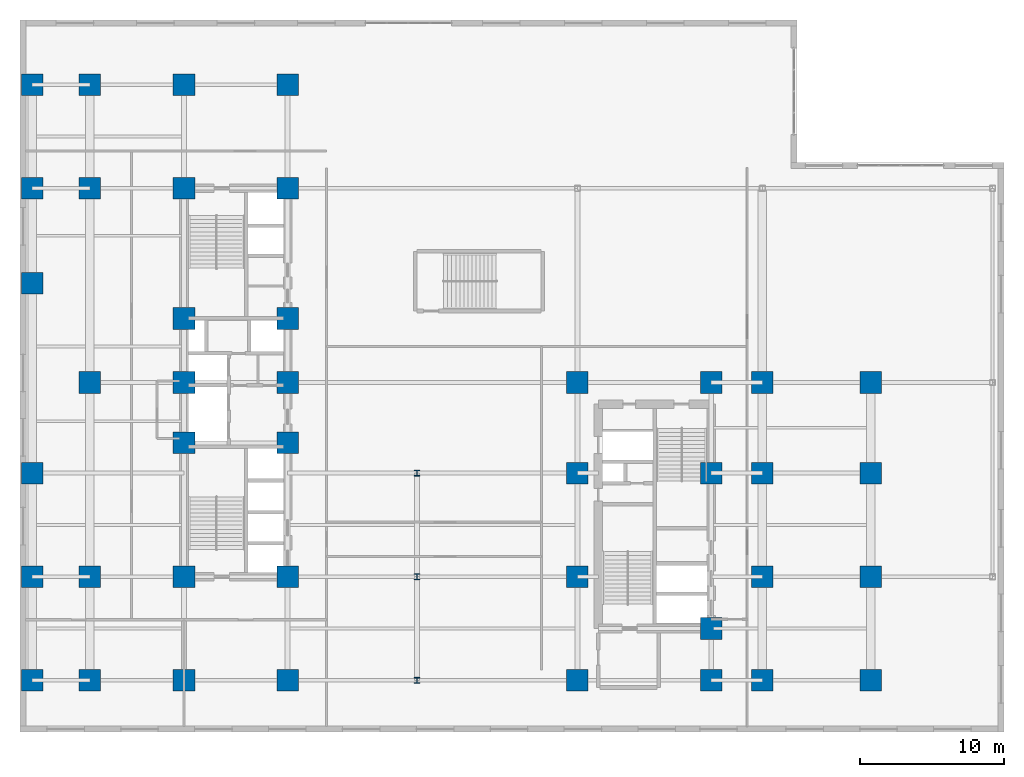
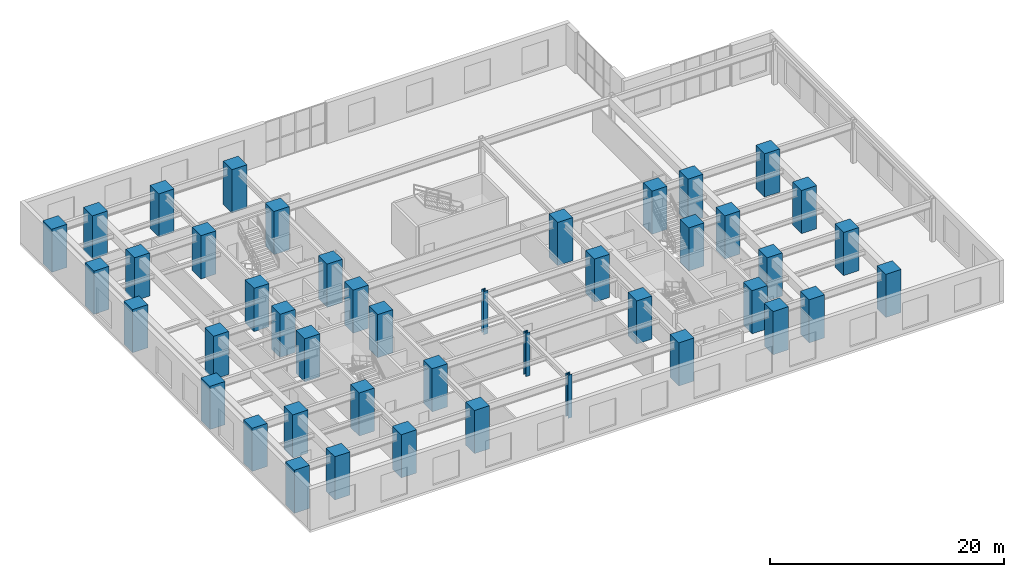
# One storey, part 1 of 15: 44 columns.
"""IFC4 building model written with IfcOpenShell, lengths in metres."""

import ifcopenshell
import ifcopenshell.guid

model = None  # the IFC model being written
_history = None  # IfcOwnerHistory: only IFC2X3 demands one
_inside = {}  # id of a spatial element -> (the spatial element, [elements in it])
_under = {}  # id of a project, library or spatial element -> (it, [spatial elements below it])
_declared = {}  # id of a project -> (the project, [libraries it declares])
_typed = {}  # id of a type object -> (the type object, [elements of that type])
_made_of = {}  # id of a material, layer set ... -> (it, [elements and type objects made of it])


def new_model(schema):
    """Start an empty IFC model of exactly this schema.

    Asked for "IFC4X3", IfcOpenShell would pick the latest addendum, in which some entities
    have other attributes; the version numbers below select the first issue.
    IFC2X3 requires an IfcOwnerHistory on every rooted entity: one is made here for all.
    """
    global model, _history
    if schema == "IFC4X3":
        model = ifcopenshell.file(schema_version=(4, 3, 0, 0))
    else:
        model = ifcopenshell.file(schema=schema)
    _inside.clear()
    _under.clear()
    _declared.clear()
    _typed.clear()
    _made_of.clear()
    _history = None
    if model.schema == "IFC2X3":
        org = make("IfcOrganization", Name="unknown")
        user = make(
            "IfcPersonAndOrganization",
            ThePerson=make("IfcPerson", FamilyName="unknown"),
            TheOrganization=org,
        )
        app = make(
            "IfcApplication",
            ApplicationDeveloper=org,
            Version="unknown",
            ApplicationFullName="unknown",
            ApplicationIdentifier="unknown",
        )
        _history = make(
            "IfcOwnerHistory",
            OwningUser=user,
            OwningApplication=app,
            ChangeAction="ADDED",
            CreationDate=0,
        )
    return model


def make(cls, **values):
    """One entity of the class cls with the attributes given. An attribute that is None is left unset."""
    return model.create_entity(
        cls, **{name: value for name, value in values.items() if value is not None}
    )


def entity(cls, *values):
    """Any entity or typed value of the class cls, its attributes in the order of the schema. None: left unset."""
    e = model.create_entity(cls)
    for i, value in enumerate(values):
        if value is not None:
            e[i] = value
    return e


def rooted(cls, **values):
    """An entity with a GlobalId (a new one), such as an element, a storey or a relation."""
    return make(cls, GlobalId=ifcopenshell.guid.new(), OwnerHistory=_history, **values)


def si_unit(unit_type, name, prefix=None):
    """IfcSIUnit, for example si_unit("LENGTHUNIT", "METRE", prefix="MILLI")."""
    return make("IfcSIUnit", UnitType=unit_type, Prefix=prefix, Name=name)


def converted_unit(unit_type, name, factor, base, dimensions=None, offset=None):
    """IfcConversionBasedUnit, such as the inch: factor (a typed value) times the base unit."""
    return make(
        "IfcConversionBasedUnit"
        if offset is None
        else "IfcConversionBasedUnitWithOffset",
        ConversionOffset=offset,
        Dimensions=None
        if dimensions is None
        else entity("IfcDimensionalExponents", *dimensions),
        UnitType=unit_type,
        Name=name,
        ConversionFactor=make(
            "IfcMeasureWithUnit", ValueComponent=factor, UnitComponent=base
        ),
    )


def assignment(units):
    """IfcUnitAssignment: the units of a project."""
    return None if units is None else make("IfcUnitAssignment", Units=units)


def point(xyz):
    """IfcCartesianPoint."""
    return None if xyz is None else make("IfcCartesianPoint", Coordinates=xyz)


def direction(xyz):
    """IfcDirection."""
    return None if xyz is None else make("IfcDirection", DirectionRatios=xyz)


def frame(location, z_axis=None, x_axis=None):
    """IfcAxis2Placement3D, a coordinate frame: its origin and axes. An axis left out is left unset."""
    return make(
        "IfcAxis2Placement3D",
        Location=point(location),
        Axis=direction(z_axis),
        RefDirection=direction(x_axis),
    )


def frame_2d(location, x_axis=None):
    """IfcAxis2Placement2D, a coordinate frame in the plane: its origin and x axis."""
    return make(
        "IfcAxis2Placement2D", Location=point(location), RefDirection=direction(x_axis)
    )


def origin_with_axes():
    """The frame at (0, 0, 0) with the z axis (0, 0, 1) and the x axis (1, 0, 0) written out."""
    return frame((0.0, 0.0, 0.0), z_axis=(0.0, 0.0, 1.0), x_axis=(1.0, 0.0, 0.0))


def origin_2d_with_axis():
    """The frame at (0, 0) in the plane with the x axis (1, 0) written out."""
    return frame_2d((0.0, 0.0), x_axis=(1.0, 0.0))


def place(relative_to, where):
    """IfcLocalPlacement: puts the frame where relative to a parent placement (None: the world)."""
    return make(
        "IfcLocalPlacement", PlacementRelTo=relative_to, RelativePlacement=where
    )


def context(
    kind, dimensions, precision=None, world=None, true_north=None, identifier=None
):
    """IfcGeometricRepresentationContext, for example the 3D "Model" context."""
    return make(
        "IfcGeometricRepresentationContext",
        ContextIdentifier=identifier,
        ContextType=kind,
        CoordinateSpaceDimension=dimensions,
        Precision=precision,
        WorldCoordinateSystem=world,
        TrueNorth=true_north,
    )


def subcontext(parent, identifier, kind, view, scale=None):
    """IfcGeometricRepresentationSubContext, for example "Body" below "Model"."""
    return make(
        "IfcGeometricRepresentationSubContext",
        ContextIdentifier=identifier,
        ContextType=kind,
        ParentContext=parent,
        TargetScale=scale,
        TargetView=view,
    )


def project(units=None, contexts=None):
    """IfcProject with its units and contexts."""
    return rooted(
        "IfcProject",
        Name="project",
        RepresentationContexts=contexts,
        UnitsInContext=assignment(units),
    )


def spatial(cls, under=None, at=None, **own):
    """A site, building, storey or space (cls), placed at a placement, below another one or the project."""
    s = rooted(cls, ObjectPlacement=at, **own)
    if under is not None:
        _under.setdefault(under.id(), (under, []))[1].append(s)
    return s


def profile(cls, at=None, kind="AREA", **sizes):
    """A parametric profile (cls). Its sizes go by their IFC names, for example OverallWidth=200.0."""
    return make(cls, ProfileType=kind, Position=at, **sizes)


def rectangle(**sizes):
    """IfcRectangleProfileDef."""
    return profile("IfcRectangleProfileDef", **sizes)


def i_section(**sizes):
    """IfcIShapeProfileDef."""
    return profile("IfcIShapeProfileDef", **sizes)


def extrude(swept, where, along, depth):
    """IfcExtrudedAreaSolid: the profile swept, set in the frame where, extruded along a direction by depth."""
    return make(
        "IfcExtrudedAreaSolid",
        SweptArea=swept,
        Position=where,
        ExtrudedDirection=direction(along),
        Depth=depth,
    )


def shape(context_of_items, identifier, shape_type, items):
    """IfcShapeRepresentation: the items that make up one representation, for example the "Body"."""
    return make(
        "IfcShapeRepresentation",
        ContextOfItems=context_of_items,
        RepresentationIdentifier=identifier,
        RepresentationType=shape_type,
        Items=items,
    )


def material(Name=None, Category=None):
    """IfcMaterial."""
    return make("IfcMaterial", Name=Name, Category=Category)


def material_profile(
    of_material, cross_section, Name=None, Category=None, Priority=None
):
    """IfcMaterialProfile: a cross section and its material."""
    return make(
        "IfcMaterialProfile",
        Name=Name,
        Material=of_material,
        Profile=cross_section,
        Priority=Priority,
        Category=Category,
    )


def profile_set(profiles, Name=None, composite=None):
    """IfcMaterialProfileSet."""
    return make(
        "IfcMaterialProfileSet",
        Name=Name,
        MaterialProfiles=profiles,
        CompositeProfile=composite,
    )


def made_of(thing, what):
    """Note that an element or type object is made of a material, layer set ...; save() writes the relation."""
    if what is not None:
        _made_of.setdefault(what.id(), (what, []))[1].append(thing)
    return thing


def type_object(cls, material=None, **own):
    """A type object (cls), such as IfcWallType, which elements share."""
    return made_of(rooted(cls, **own), material)


def element(
    cls,
    number,
    at=None,
    inside=None,
    cuts=None,
    type_object=None,
    material=None,
    context=None,
    identifier="Body",
    shape_type=None,
    held_by="IfcProductDefinitionShape",
    body=None,
    shapes=None,
    **own,
):
    """One element of the class cls, such as IfcWall. Its Tag is "e" and its number.

    at: its placement. inside: the storey or other place that contains it. cuts: it is an
    opening in that element (IfcRelVoidsElement). A single representation is given by context,
    identifier, shape_type and body (its items); several are given by shapes. held_by: the class
    of the entity that holds the representations. save() writes the other relations.
    """
    e = rooted(cls, Tag="e%d" % number, ObjectPlacement=at, **own)
    if body is not None:
        shapes = [shape(context, identifier, shape_type, body)]
    if shapes is not None:
        e.Representation = make(held_by, Representations=shapes)
    if inside is not None:
        _inside.setdefault(inside.id(), (inside, []))[1].append(e)
    if cuts is not None:
        rooted(
            "IfcRelVoidsElement", RelatingBuildingElement=cuts, RelatedOpeningElement=e
        )
    if type_object is not None:
        _typed.setdefault(type_object.id(), (type_object, []))[1].append(e)
    return made_of(e, material)


def aggregate(whole, parts):
    """IfcRelAggregates: a whole, such as a stair, and the parts it consists of."""
    return rooted("IfcRelAggregates", RelatingObject=whole, RelatedObjects=parts)


def save(model, path):
    """Write the relations noted so far, then the file.

    IfcRelAggregates (storeys below a building ...), IfcRelContainedInSpatialStructure (elements
    in a storey), IfcRelDefinesByType, IfcRelAssociatesMaterial and IfcRelDeclares: one each for
    every whole, place, type object, material and project.
    """
    for whole, parts in _under.values():
        aggregate(whole, parts)
    for where, things in _inside.values():
        rooted(
            "IfcRelContainedInSpatialStructure",
            RelatedElements=things,
            RelatingStructure=where,
        )
    for kind, things in _typed.values():
        rooted("IfcRelDefinesByType", RelatedObjects=things, RelatingType=kind)
    for what, things in _made_of.values():
        rooted("IfcRelAssociatesMaterial", RelatedObjects=things, RelatingMaterial=what)
    for by, libraries in _declared.values():
        rooted("IfcRelDeclares", RelatingContext=by, RelatedDefinitions=libraries)
    model.write(path)


model = new_model("IFC4")

# Units and contexts
model_context = context("Model", 3, precision=1e-05, world=origin_with_axes(), true_north=direction((0.0, 1.0)))
body_context = subcontext(model_context, "Body", "Model", "MODEL_VIEW")
ifc_project = project(units=[si_unit("LENGTHUNIT", "METRE"), si_unit("AREAUNIT", "SQUARE_METRE"), si_unit("VOLUMEUNIT", "CUBIC_METRE"), converted_unit("PLANEANGLEUNIT", "DEGREE", entity("IfcPlaneAngleMeasure", 0.017453292519943295), si_unit("PLANEANGLEUNIT", "RADIAN"), dimensions=[0, 0, 0, 0, 0, 0, 0]), si_unit("MASSUNIT", "GRAM", prefix="KILO"), si_unit("THERMODYNAMICTEMPERATUREUNIT", "KELVIN")], contexts=[model_context])

# Site, building, storey
site_placement = place(None, origin_with_axes())
site = spatial("IfcSite", under=ifc_project, at=site_placement, CompositionType="ELEMENT")
building_placement = place(site_placement, origin_with_axes())
building = spatial("IfcBuilding", under=site, at=building_placement, Name="Varnlund Millrace Tower", CompositionType="ELEMENT")
storey_placement = place(building_placement, frame((0.0, 0.0, 10.8), z_axis=(0.0, 0.0, 1.0), x_axis=(1.0, 0.0, 0.0)))
storey = spatial("IfcBuildingStorey", under=building, at=storey_placement, Name="L02", CompositionType="ELEMENT", Elevation=10.8)

# Columns
ifc_material_1 = material(Name="Steel ASTM A913 Grade 65", Category="steel")
ifc_material_profile_1 = material_profile(ifc_material_1, i_section(OverallWidth=0.406, OverallDepth=0.416, WebThickness=0.0298, FlangeThickness=0.048, FilletRadius=0.022, at=origin_2d_with_axis()), Name="Steel ASTM A913 Grade 65")
ifc_profile_set_1 = profile_set([ifc_material_profile_1], Name="Steel ASTM A913 Grade 65")
column_type_1 = type_object("IfcColumnType", Name="Type-Col-Int-W14X257", PredefinedType="COLUMN", material=ifc_profile_set_1)
for number, where, z_axis, x_axis, name in (
    (1, (27.6, 3.6, 0.0), (0.0, 0.0, 1.0), (1.0, 0.0, 0.0), "Type-Col-Int-W14X257"),
    (2, (27.6, 10.8, 0.0), (0.0, 0.0, 1.0), (1.0, 0.0, 0.0), "Type-Col-Int-W14X257"),
    (3, (27.6, 18.0, 0.0), (0.0, 0.0, 1.0), (1.0, 0.0, 0.0), "Type-Col-Int-W14X257"),
):
    element("IfcColumn", number, at=place(storey_placement, frame(where, z_axis=z_axis, x_axis=x_axis)), inside=storey, type_object=column_type_1, Name=name, PredefinedType="COLUMN", context=body_context, shape_type="SweptSolid", body=[
        extrude(i_section(OverallWidth=0.406, OverallDepth=0.416, WebThickness=0.0298, FlangeThickness=0.048, FilletRadius=0.022, at=origin_2d_with_axis()), origin_with_axes(), (0.0, 0.0, 1.0), 4.5),
    ])
ifc_material_2 = material(Name="Concrete C80/95", Category="concrete")
ifc_material_profile_2 = material_profile(ifc_material_2, rectangle(XDim=1.5, YDim=1.5, at=origin_2d_with_axis()), Name="Concrete C80/95")
ifc_profile_set_2 = profile_set([ifc_material_profile_2], Name="Concrete C80/95")
column_type_2 = type_object("IfcColumnType", Name="Type-Col-RC1500-C80", PredefinedType="COLUMN", material=ifc_profile_set_2)
for number, where, z_axis, x_axis, name in (
    (4, (11.4, 3.6, 0.0), (0.0, 0.0, 1.0), (1.0, 0.0, 0.0), "Type-Col-RC1500-C80"),
    (5, (11.4, 10.8, 0.0), (0.0, 0.0, 1.0), (1.0, 0.0, 0.0), "Type-Col-RC1500-C80"),
    (6, (11.4, 20.1, 0.0), (0.0, 0.0, 1.0), (1.0, 0.0, 0.0), "Type-Col-RC1500-C80"),
    (7, (11.4, 24.3, 0.0), (0.0, 0.0, 1.0), (1.0, 0.0, 0.0), "Type-Col-RC1500-C80"),
    (8, (11.4, 28.75, 0.0), (0.0, 0.0, 1.0), (1.0, 0.0, 0.0), "Type-Col-RC1500-C80"),
    (9, (11.4, 37.8, 0.0), (0.0, 0.0, 1.0), (1.0, 0.0, 0.0), "Type-Col-RC1500-C80"),
    (10, (11.4, 45.0, 0.0), (0.0, 0.0, 1.0), (1.0, 0.0, 0.0), "Type-Col-RC1500-C80"),
    (11, (18.6, 3.6, 0.0), (0.0, 0.0, 1.0), (1.0, 0.0, 0.0), "Type-Col-RC1500-C80"),
    (12, (18.6, 10.8, 0.0), (0.0, 0.0, 1.0), (1.0, 0.0, 0.0), "Type-Col-RC1500-C80"),
    (13, (18.6, 20.1, 0.0), (0.0, 0.0, 1.0), (1.0, 0.0, 0.0), "Type-Col-RC1500-C80"),
    (14, (18.6, 24.3, 0.0), (0.0, 0.0, 1.0), (1.0, 0.0, 0.0), "Type-Col-RC1500-C80"),
    (15, (18.6, 28.75, 0.0), (0.0, 0.0, 1.0), (1.0, 0.0, 0.0), "Type-Col-RC1500-C80"),
    (16, (18.6, 37.8, 0.0), (0.0, 0.0, 1.0), (1.0, 0.0, 0.0), "Type-Col-RC1500-C80"),
    (17, (18.6, 45.0, 0.0), (0.0, 0.0, 1.0), (1.0, 0.0, 0.0), "Type-Col-RC1500-C80"),
    (18, (4.85, 3.6, 0.0), (0.0, 0.0, 1.0), (1.0, 0.0, 0.0), "Type-Col-RC1500-C80"),
    (19, (4.85, 10.8, 0.0), (0.0, 0.0, 1.0), (1.0, 0.0, 0.0), "Type-Col-RC1500-C80"),
    (20, (4.85, 24.3, 0.0), (0.0, 0.0, 1.0), (1.0, 0.0, 0.0), "Type-Col-RC1500-C80"),
    (21, (4.85, 37.8, 0.0), (0.0, 0.0, 1.0), (1.0, 0.0, 0.0), "Type-Col-RC1500-C80"),
    (22, (4.85, 45.0, 0.0), (0.0, 0.0, 1.0), (1.0, 0.0, 0.0), "Type-Col-RC1500-C80"),
    (23, (0.85, 3.6, 0.0), (0.0, 0.0, 1.0), (1.0, 0.0, 0.0), "Type-Col-RC1500-C80"),
    (24, (0.85, 10.8, 0.0), (0.0, 0.0, 1.0), (1.0, 0.0, 0.0), "Type-Col-RC1500-C80"),
    (25, (0.85, 18.0, 0.0), (0.0, 0.0, 1.0), (1.0, 0.0, 0.0), "Type-Col-RC1500-C80"),
    (26, (0.85, 31.2, 0.0), (0.0, 0.0, 1.0), (1.0, 0.0, 0.0), "Type-Col-RC1500-C80"),
    (27, (0.85, 37.8, 0.0), (0.0, 0.0, 1.0), (1.0, 0.0, 0.0), "Type-Col-RC1500-C80"),
    (28, (0.85, 45.0, 0.0), (0.0, 0.0, 1.0), (1.0, 0.0, 0.0), "Type-Col-RC1500-C80"),
    (29, (38.75, 3.6, 0.0), (0.0, 0.0, 1.0), (1.0, 0.0, 0.0), "Type-Col-RC1500-C80"),
    (30, (38.75, 10.8, 0.0), (0.0, 0.0, 1.0), (1.0, 0.0, 0.0), "Type-Col-RC1500-C80"),
    (31, (38.75, 18.0, 0.0), (0.0, 0.0, 1.0), (1.0, 0.0, 0.0), "Type-Col-RC1500-C80"),
    (32, (38.75, 24.3, 0.0), (0.0, 0.0, 1.0), (1.0, 0.0, 0.0), "Type-Col-RC1500-C80"),
    (33, (48.05, 3.6, 0.0), (0.0, 0.0, 1.0), (1.0, 0.0, 0.0), "Type-Col-RC1500-C80"),
    (34, (48.05, 7.2, 0.0), (0.0, 0.0, 1.0), (1.0, 0.0, 0.0), "Type-Col-RC1500-C80"),
    (35, (48.05, 18.0, 0.0), (0.0, 0.0, 1.0), (1.0, 0.0, 0.0), "Type-Col-RC1500-C80"),
    (36, (48.05, 24.3, 0.0), (0.0, 0.0, 1.0), (1.0, 0.0, 0.0), "Type-Col-RC1500-C80"),
    (37, (51.6, 3.6, 0.0), (0.0, 0.0, 1.0), (1.0, 0.0, 0.0), "Type-Col-RC1500-C80"),
    (38, (51.6, 10.8, 0.0), (0.0, 0.0, 1.0), (1.0, 0.0, 0.0), "Type-Col-RC1500-C80"),
    (39, (51.6, 18.0, 0.0), (0.0, 0.0, 1.0), (1.0, 0.0, 0.0), "Type-Col-RC1500-C80"),
    (40, (51.6, 24.3, 0.0), (0.0, 0.0, 1.0), (1.0, 0.0, 0.0), "Type-Col-RC1500-C80"),
    (41, (59.15, 3.6, 0.0), (0.0, 0.0, 1.0), (1.0, 0.0, 0.0), "Type-Col-RC1500-C80"),
    (42, (59.15, 10.8, 0.0), (0.0, 0.0, 1.0), (1.0, 0.0, 0.0), "Type-Col-RC1500-C80"),
    (43, (59.15, 18.0, 0.0), (0.0, 0.0, 1.0), (1.0, 0.0, 0.0), "Type-Col-RC1500-C80"),
    (44, (59.15, 24.3, 0.0), (0.0, 0.0, 1.0), (1.0, 0.0, 0.0), "Type-Col-RC1500-C80"),
):
    element("IfcColumn", number, at=place(storey_placement, frame(where, z_axis=z_axis, x_axis=x_axis)), inside=storey, type_object=column_type_2, Name=name, PredefinedType="COLUMN", context=body_context, shape_type="SweptSolid", body=[
        extrude(rectangle(XDim=1.5, YDim=1.5, at=origin_2d_with_axis()), origin_with_axes(), (0.0, 0.0, 1.0), 4.5),
    ])

save(model, "model.ifc")
